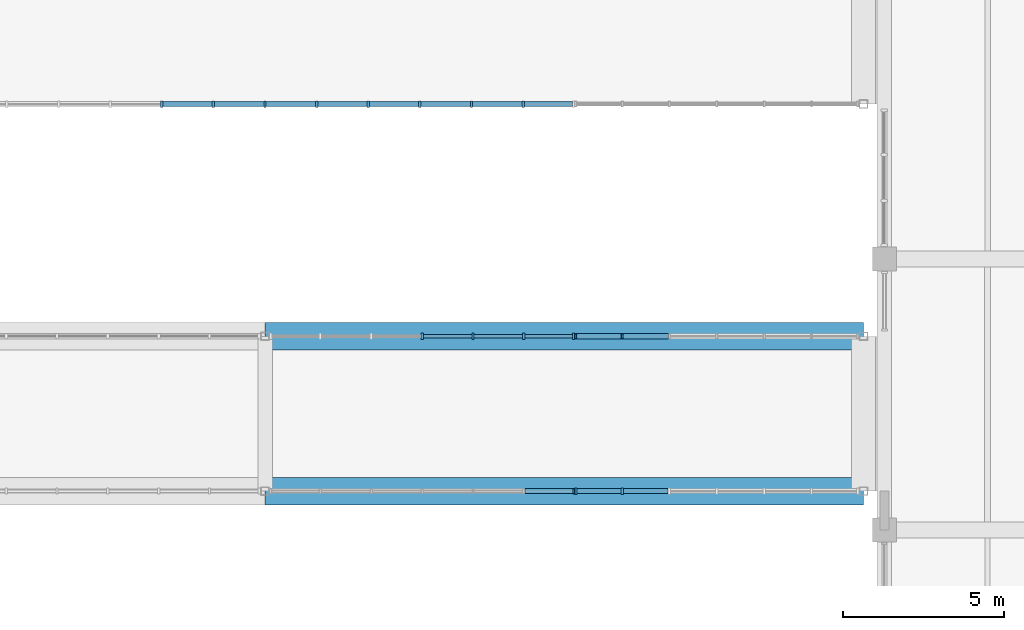
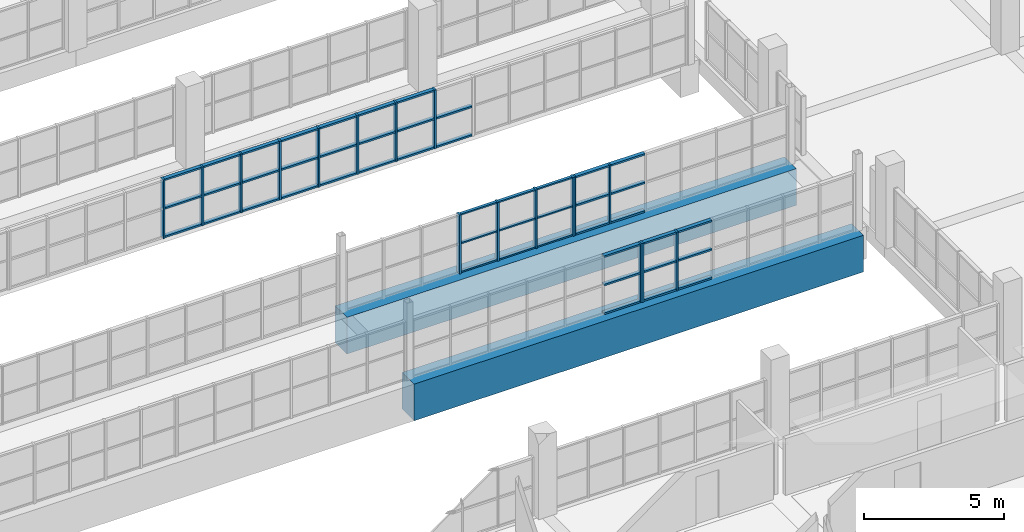
# One storey, part 63 of 147: 64 members, 2 beams, 5 elements without a shape of their own.
"""IFC4 building model written with IfcOpenShell, lengths in metres."""

from ifc_helpers import new_model, si_unit, direction, frame, origin, origin_2d, place, context, subcontext, project, spatial, rectangle, extrude, material, material_profile, profile_set, type_object, element, aggregate, save


model = new_model("IFC4")

# Units and contexts
model_context = context("Model", 3, precision=1e-05, world=origin(), true_north=direction((0.0, 1.0)))
body_context = subcontext(model_context, "Body", "Model", "MODEL_VIEW")
ifc_project = project(units=[si_unit("LENGTHUNIT", "METRE"), si_unit("AREAUNIT", "SQUARE_METRE"), si_unit("VOLUMEUNIT", "CUBIC_METRE"), si_unit("PLANEANGLEUNIT", "RADIAN"), si_unit("MASSUNIT", "GRAM", prefix="KILO")], contexts=[model_context])

# Site, building, storey
site_placement = place(None, origin())
site = spatial("IfcSite", under=ifc_project, at=site_placement, CompositionType="ELEMENT")
building_placement = place(site_placement, origin())
building = spatial("IfcBuilding", under=site, at=building_placement, Name="Oolite Switchyard Hospital", CompositionType="ELEMENT")
storey_placement = place(building_placement, frame((0.0, 0.0, 9.89990234375)))
storey = spatial("IfcBuildingStorey", under=building, at=storey_placement, Name="L02", CompositionType="ELEMENT", Elevation=9.89990234375)

# Beams
ifc_material_1 = material(Name="Concrete C40/50", Category="concrete")
ifc_material_profile_1 = material_profile(ifc_material_1, rectangle(XDim=0.85009765625, YDim=1.60009765625, at=origin_2d()), Name="RCT850X1600")
ifc_profile_set_1 = profile_set([ifc_material_profile_1], Name="Concrete C40/50")
beam_type = type_object("IfcBeamType", Name="BM-TR850X1600", PredefinedType="BEAM", material=ifc_profile_set_1)
for number, where, z_axis, x_axis, name in (
    (1, (163.199951171875, 34.800048828125, -0.7998046875), (1.0, 0.0, 0.0), (0.0, 1.0, 0.0), "L02 X-Girder 1047"),
    (2, (163.199951171875, 39.60009765625, -0.7998046875), (1.0, 0.0, 0.0), (0.0, 1.0, 0.0), "L02 X-Girder 1049"),
):
    element("IfcBeam", number, at=place(storey_placement, frame(where, z_axis=z_axis, x_axis=x_axis)), inside=storey, type_object=beam_type, Name=name, PredefinedType="BEAM", context=body_context, shape_type="SweptSolid", body=[
        extrude(rectangle(XDim=0.85009765625, YDim=1.60009765625, at=origin_2d()), origin(), (0.0, 0.0, 1.0), 18.550048828125),
    ])

# Curtain wall, member
ifc_material_2 = material(Name="Thermally broken aluminum frame with laminated impact glazing", Category="aluminium")
curtain_wall_type = type_object("IfcCurtainWallType", Name="CW-BRG-96X38", PredefinedType="USERDEFINED", material=ifc_material_2)
curtain_wall_1_placement = place(storey_placement, origin())
curtain_wall_1 = element("IfcCurtainWall", 3, at=curtain_wall_1_placement, inside=storey, type_object=curtain_wall_type, Name="L02 Unitised Curtain Wall 229", ObjectType="UNITISED", PredefinedType="USERDEFINED")
ifc_material_3 = material(Name="Aluminium 6063-T6", Category="aluminium")
ifc_material_profile_2 = material_profile(ifc_material_3, rectangle(XDim=0.159912109375, YDim=0.06005859375, at=origin_2d()), Name="CWM60X160")
ifc_profile_set_2 = profile_set([ifc_material_profile_2], Name="Aluminium 6063-T6")
member_type_1 = type_object("IfcMemberType", Name="CW-MUL-180", PredefinedType="MULLION", material=ifc_profile_set_2)
member_1_placement = place(storey_placement, frame((172.77001953125, 34.800048828125, 0.0), z_axis=(0.0, 0.0, 1.0), x_axis=(0.0, -1.0, 0.0)))
member_1 = element("IfcMember", 4, at=member_1_placement, type_object=member_type_1, Name="CW-12 mullion 1", PredefinedType="MULLION", context=body_context, shape_type="SweptSolid", body=[
    extrude(rectangle(XDim=0.159912109375, YDim=0.06005859375, at=origin_2d()), origin(), (0.0, 0.0, 1.0), 2.570068359375),
])

# Curtain wall, members
curtain_wall_2_placement = place(storey_placement, origin())
curtain_wall_2 = element("IfcCurtainWall", 5, at=curtain_wall_2_placement, inside=storey, type_object=curtain_wall_type, Name="L02 Unitised Curtain Wall 235", ObjectType="UNITISED", PredefinedType="USERDEFINED")
member_2_placement = place(storey_placement, frame((172.830078125, 39.60009765625, 0.0), z_axis=(0.0, 0.0, 1.0), x_axis=(0.0, 1.0, 0.0)))
member_2 = element("IfcMember", 6, at=member_2_placement, type_object=member_type_1, Name="CW-12 mullion 1", PredefinedType="MULLION", context=body_context, shape_type="SweptSolid", body=[
    extrude(rectangle(XDim=0.159912109375, YDim=0.06005859375, at=origin_2d()), origin(), (0.0, 0.0, 1.0), 2.570068359375),
])
member_3_placement = place(storey_placement, frame((174.26806640625, 39.60009765625, 0.0), z_axis=(0.0, 0.0, 1.0), x_axis=(0.0, 1.0, 0.0)))
member_3 = element("IfcMember", 7, at=member_3_placement, type_object=member_type_1, Name="CW-12 mullion 2", PredefinedType="MULLION", context=body_context, shape_type="SweptSolid", body=[
    extrude(rectangle(XDim=0.159912109375, YDim=0.06005859375, at=origin_2d()), origin(), (0.0, 0.0, 1.0), 2.570068359375),
])

curtain_wall_3_placement = place(storey_placement, origin())
curtain_wall_3 = element("IfcCurtainWall", 8, at=curtain_wall_3_placement, inside=storey, type_object=curtain_wall_type, Name="L02 Unitised Curtain Wall 231", ObjectType="UNITISED", PredefinedType="USERDEFINED")
ifc_material_profile_3 = material_profile(ifc_material_3, rectangle(XDim=0.199951171875, YDim=0.074951171875, at=origin_2d()), Name="CWM75X200")
ifc_profile_set_3 = profile_set([ifc_material_profile_3], Name="Aluminium 6063-T6")
member_type_2 = type_object("IfcMemberType", Name="CW-MUL-260", PredefinedType="MULLION", material=ifc_profile_set_3)
member_4_placement = place(storey_placement, frame((174.26806640625, 34.800048828125, 0.0), z_axis=(0.0, 0.0, 1.0), x_axis=(0.0, -1.0, 0.0)))
member_4 = element("IfcMember", 9, at=member_4_placement, type_object=member_type_2, Name="CW-12 mullion 6", PredefinedType="MULLION", context=body_context, shape_type="SweptSolid", body=[
    extrude(rectangle(XDim=0.199951171875, YDim=0.074951171875, at=origin_2d()), origin(), (0.0, 0.0, 1.0), 2.570068359375),
])
member_5_placement = place(storey_placement, frame((172.83740234375, 34.800048828125, 0.0), z_axis=(0.0, 0.0, 1.0), x_axis=(0.0, -1.0, 0.0)))
member_5 = element("IfcMember", 10, at=member_5_placement, type_object=member_type_2, Name="CW-12 mullion 7", PredefinedType="MULLION", context=body_context, shape_type="SweptSolid", body=[
    extrude(rectangle(XDim=0.199951171875, YDim=0.074951171875, at=origin_2d()), origin(), (0.0, 0.0, 1.0), 2.570068359375),
])

curtain_wall_4_placement = place(storey_placement, origin())
curtain_wall_4 = element("IfcCurtainWall", 11, at=curtain_wall_4_placement, inside=storey, type_object=curtain_wall_type, Name="L02 Unitised Curtain Wall 234", ObjectType="UNITISED", PredefinedType="USERDEFINED")
member_6_placement = place(storey_placement, frame((168.071044921875, 39.60009765625, 0.0), z_axis=(0.0, 0.0, 1.0), x_axis=(0.0, 1.0, 0.0)))
member_6 = element("IfcMember", 12, at=member_6_placement, type_object=member_type_2, Name="CW-12 mullion 4", PredefinedType="MULLION", context=body_context, shape_type="SweptSolid", body=[
    extrude(rectangle(XDim=0.199951171875, YDim=0.074951171875, at=origin_2d()), origin(), (0.0, 0.0, 1.0), 2.570068359375),
])
member_7_placement = place(storey_placement, frame((169.647216796875, 39.60009765625, 0.0), z_axis=(0.0, 0.0, 1.0), x_axis=(0.0, 1.0, 0.0)))
member_7 = element("IfcMember", 13, at=member_7_placement, type_object=member_type_2, Name="CW-12 mullion 5", PredefinedType="MULLION", context=body_context, shape_type="SweptSolid", body=[
    extrude(rectangle(XDim=0.199951171875, YDim=0.074951171875, at=origin_2d()), origin(), (0.0, 0.0, 1.0), 2.570068359375),
])
member_8_placement = place(storey_placement, frame((171.2236328125, 39.60009765625, 0.0), z_axis=(0.0, 0.0, 1.0), x_axis=(0.0, 1.0, 0.0)))
member_8 = element("IfcMember", 14, at=member_8_placement, type_object=member_type_2, Name="CW-12 mullion 6", PredefinedType="MULLION", context=body_context, shape_type="SweptSolid", body=[
    extrude(rectangle(XDim=0.199951171875, YDim=0.074951171875, at=origin_2d()), origin(), (0.0, 0.0, 1.0), 2.570068359375),
])
member_9_placement = place(storey_placement, frame((172.762451171875, 39.60009765625, 0.0), z_axis=(0.0, 0.0, 1.0), x_axis=(0.0, 1.0, 0.0)))
member_9 = element("IfcMember", 15, at=member_9_placement, type_object=member_type_2, Name="CW-12 mullion 7", PredefinedType="MULLION", context=body_context, shape_type="SweptSolid", body=[
    extrude(rectangle(XDim=0.199951171875, YDim=0.074951171875, at=origin_2d()), origin(), (0.0, 0.0, 1.0), 2.570068359375),
])

curtain_wall_5_placement = place(storey_placement, origin())
curtain_wall_5 = element("IfcCurtainWall", 16, at=curtain_wall_5_placement, inside=storey, type_object=curtain_wall_type, Name="L02 Unitised Curtain Wall 237", ObjectType="UNITISED", PredefinedType="USERDEFINED")
member_10_placement = place(storey_placement, frame((171.199951171875, 46.800048828125, 0.0), z_axis=(0.0, 0.0, 1.0), x_axis=(0.0, -1.0, 0.0)))
member_10 = element("IfcMember", 17, at=member_10_placement, type_object=member_type_2, Name="CW-12 mullion 2", PredefinedType="MULLION", context=body_context, shape_type="SweptSolid", body=[
    extrude(rectangle(XDim=0.199951171875, YDim=0.074951171875, at=origin_2d()), origin(), (0.0, 0.0, 1.0), 2.570068359375),
])
member_11_placement = place(storey_placement, frame((169.60009765625, 46.800048828125, 0.0), z_axis=(0.0, 0.0, 1.0), x_axis=(0.0, -1.0, 0.0)))
member_11 = element("IfcMember", 18, at=member_11_placement, type_object=member_type_2, Name="CW-12 mullion 3", PredefinedType="MULLION", context=body_context, shape_type="SweptSolid", body=[
    extrude(rectangle(XDim=0.199951171875, YDim=0.074951171875, at=origin_2d()), origin(), (0.0, 0.0, 1.0), 2.570068359375),
])
member_12_placement = place(storey_placement, frame((168.0, 46.800048828125, 0.0), z_axis=(0.0, 0.0, 1.0), x_axis=(0.0, -1.0, 0.0)))
member_12 = element("IfcMember", 19, at=member_12_placement, type_object=member_type_2, Name="CW-12 mullion 4", PredefinedType="MULLION", context=body_context, shape_type="SweptSolid", body=[
    extrude(rectangle(XDim=0.199951171875, YDim=0.074951171875, at=origin_2d()), origin(), (0.0, 0.0, 1.0), 2.570068359375),
])
member_13_placement = place(storey_placement, frame((166.39990234375, 46.800048828125, 0.0), z_axis=(0.0, 0.0, 1.0), x_axis=(0.0, -1.0, 0.0)))
member_13 = element("IfcMember", 20, at=member_13_placement, type_object=member_type_2, Name="CW-12 mullion 5", PredefinedType="MULLION", context=body_context, shape_type="SweptSolid", body=[
    extrude(rectangle(XDim=0.199951171875, YDim=0.074951171875, at=origin_2d()), origin(), (0.0, 0.0, 1.0), 2.570068359375),
])
member_14_placement = place(storey_placement, frame((164.800048828125, 46.800048828125, 0.0), z_axis=(0.0, 0.0, 1.0), x_axis=(0.0, -1.0, 0.0)))
member_14 = element("IfcMember", 21, at=member_14_placement, type_object=member_type_2, Name="CW-12 mullion 6", PredefinedType="MULLION", context=body_context, shape_type="SweptSolid", body=[
    extrude(rectangle(XDim=0.199951171875, YDim=0.074951171875, at=origin_2d()), origin(), (0.0, 0.0, 1.0), 2.570068359375),
])
member_15_placement = place(storey_placement, frame((163.199951171875, 46.800048828125, 0.0), z_axis=(0.0, 0.0, 1.0), x_axis=(0.0, -1.0, 0.0)))
member_15 = element("IfcMember", 22, at=member_15_placement, type_object=member_type_2, Name="CW-12 mullion 7", PredefinedType="MULLION", context=body_context, shape_type="SweptSolid", body=[
    extrude(rectangle(XDim=0.199951171875, YDim=0.074951171875, at=origin_2d()), origin(), (0.0, 0.0, 1.0), 2.570068359375),
])
member_16_placement = place(storey_placement, frame((161.60009765625, 46.800048828125, 0.0), z_axis=(0.0, 0.0, 1.0), x_axis=(0.0, -1.0, 0.0)))
member_16 = element("IfcMember", 23, at=member_16_placement, type_object=member_type_2, Name="CW-12 mullion 8", PredefinedType="MULLION", context=body_context, shape_type="SweptSolid", body=[
    extrude(rectangle(XDim=0.199951171875, YDim=0.074951171875, at=origin_2d()), origin(), (0.0, 0.0, 1.0), 2.570068359375),
])
member_17_placement = place(storey_placement, frame((160.0, 46.800048828125, 0.0), z_axis=(0.0, 0.0, 1.0), x_axis=(0.0, -1.0, 0.0)))
member_17 = element("IfcMember", 24, at=member_17_placement, type_object=member_type_2, Name="CW-12 mullion 9", PredefinedType="MULLION", context=body_context, shape_type="SweptSolid", body=[
    extrude(rectangle(XDim=0.199951171875, YDim=0.074951171875, at=origin_2d()), origin(), (0.0, 0.0, 1.0), 2.570068359375),
])

# Member
ifc_material_profile_4 = material_profile(ifc_material_3, rectangle(XDim=0.1201171875, YDim=0.06005859375, at=origin_2d()), Name="CWT60X120")
ifc_profile_set_4 = profile_set([ifc_material_profile_4], Name="Aluminium 6063-T6")
member_type_3 = type_object("IfcMemberType", Name="CW-TRN-150", PredefinedType="USERDEFINED", material=ifc_profile_set_4)
member_18_placement = place(storey_placement, frame((168.1083984375, 39.60009765625, 0.030029296875), z_axis=(1.0, 0.0, 0.0), x_axis=(0.0, 1.0, 0.0)))
member_18 = element("IfcMember", 25, at=member_18_placement, type_object=member_type_3, Name="CW-12 transom 4.1", ObjectType="TRANSOM", PredefinedType="USERDEFINED", context=body_context, shape_type="SweptSolid", body=[
    extrude(rectangle(XDim=0.1201171875, YDim=0.06005859375, at=origin_2d()), origin(), (0.0, 0.0, 1.0), 1.50146484375),
])

member_19_placement = place(storey_placement, frame((168.1083984375, 39.60009765625, 1.28515625), z_axis=(1.0, 0.0, 0.0), x_axis=(0.0, 1.0, 0.0)))
member_19 = element("IfcMember", 26, at=member_19_placement, type_object=member_type_3, Name="CW-12 transom 4.2", ObjectType="TRANSOM", PredefinedType="USERDEFINED", context=body_context, shape_type="SweptSolid", body=[
    extrude(rectangle(XDim=0.1201171875, YDim=0.06005859375, at=origin_2d()), origin(), (0.0, 0.0, 1.0), 1.50146484375),
])

member_20_placement = place(storey_placement, frame((168.1083984375, 39.60009765625, 2.5400390625), z_axis=(1.0, 0.0, 0.0), x_axis=(0.0, 1.0, 0.0)))
member_20 = element("IfcMember", 27, at=member_20_placement, type_object=member_type_3, Name="CW-12 transom 4.3", ObjectType="TRANSOM", PredefinedType="USERDEFINED", context=body_context, shape_type="SweptSolid", body=[
    extrude(rectangle(XDim=0.1201171875, YDim=0.06005859375, at=origin_2d()), origin(), (0.0, 0.0, 1.0), 1.50146484375),
])

member_21_placement = place(storey_placement, frame((169.684814453125, 39.60009765625, 0.030029296875), z_axis=(1.0, 0.0, 0.0), x_axis=(0.0, 1.0, 0.0)))
member_21 = element("IfcMember", 28, at=member_21_placement, type_object=member_type_3, Name="CW-12 transom 5.1", ObjectType="TRANSOM", PredefinedType="USERDEFINED", context=body_context, shape_type="SweptSolid", body=[
    extrude(rectangle(XDim=0.1201171875, YDim=0.06005859375, at=origin_2d()), origin(), (0.0, 0.0, 1.0), 1.50146484375),
])

member_22_placement = place(storey_placement, frame((169.684814453125, 39.60009765625, 1.28515625), z_axis=(1.0, 0.0, 0.0), x_axis=(0.0, 1.0, 0.0)))
member_22 = element("IfcMember", 29, at=member_22_placement, type_object=member_type_3, Name="CW-12 transom 5.2", ObjectType="TRANSOM", PredefinedType="USERDEFINED", context=body_context, shape_type="SweptSolid", body=[
    extrude(rectangle(XDim=0.1201171875, YDim=0.06005859375, at=origin_2d()), origin(), (0.0, 0.0, 1.0), 1.50146484375),
])

member_23_placement = place(storey_placement, frame((169.684814453125, 39.60009765625, 2.5400390625), z_axis=(1.0, 0.0, 0.0), x_axis=(0.0, 1.0, 0.0)))
member_23 = element("IfcMember", 30, at=member_23_placement, type_object=member_type_3, Name="CW-12 transom 5.3", ObjectType="TRANSOM", PredefinedType="USERDEFINED", context=body_context, shape_type="SweptSolid", body=[
    extrude(rectangle(XDim=0.1201171875, YDim=0.06005859375, at=origin_2d()), origin(), (0.0, 0.0, 1.0), 1.50146484375),
])

member_24_placement = place(storey_placement, frame((171.26123046875, 39.60009765625, 0.030029296875), z_axis=(1.0, 0.0, 0.0), x_axis=(0.0, 1.0, 0.0)))
member_24 = element("IfcMember", 31, at=member_24_placement, type_object=member_type_3, Name="CW-12 transom 6.1", ObjectType="TRANSOM", PredefinedType="USERDEFINED", context=body_context, shape_type="SweptSolid", body=[
    extrude(rectangle(XDim=0.1201171875, YDim=0.06005859375, at=origin_2d()), origin(), (0.0, 0.0, 1.0), 1.4638671875),
])

member_25_placement = place(storey_placement, frame((171.26123046875, 39.60009765625, 1.28515625), z_axis=(1.0, 0.0, 0.0), x_axis=(0.0, 1.0, 0.0)))
member_25 = element("IfcMember", 32, at=member_25_placement, type_object=member_type_3, Name="CW-12 transom 6.2", ObjectType="TRANSOM", PredefinedType="USERDEFINED", context=body_context, shape_type="SweptSolid", body=[
    extrude(rectangle(XDim=0.1201171875, YDim=0.06005859375, at=origin_2d()), origin(), (0.0, 0.0, 1.0), 1.4638671875),
])

member_26_placement = place(storey_placement, frame((171.26123046875, 39.60009765625, 2.5400390625), z_axis=(1.0, 0.0, 0.0), x_axis=(0.0, 1.0, 0.0)))
member_26 = element("IfcMember", 33, at=member_26_placement, type_object=member_type_3, Name="CW-12 transom 6.3", ObjectType="TRANSOM", PredefinedType="USERDEFINED", context=body_context, shape_type="SweptSolid", body=[
    extrude(rectangle(XDim=0.1201171875, YDim=0.06005859375, at=origin_2d()), origin(), (0.0, 0.0, 1.0), 1.4638671875),
])

aggregate(curtain_wall_4, [member_6, member_7, member_8, member_9, member_18, member_19, member_20, member_21, member_22, member_23, member_24, member_25, member_26])

ifc_material_profile_5 = material_profile(ifc_material_3, rectangle(XDim=0.159912109375, YDim=0.074951171875, at=origin_2d()), Name="CWT75X160")
ifc_profile_set_5 = profile_set([ifc_material_profile_5], Name="Aluminium 6063-T6")
member_type_4 = type_object("IfcMemberType", Name="CW-TRN-180", PredefinedType="USERDEFINED", material=ifc_profile_set_5)
member_27_placement = place(storey_placement, frame((172.739990234375, 34.800048828125, 0.03759765625), z_axis=(-1.0, 0.0, 0.0), x_axis=(0.0, -1.0, 0.0)))
member_27 = element("IfcMember", 34, at=member_27_placement, type_object=member_type_4, Name="CW-12 transom 1.1", ObjectType="TRANSOM", PredefinedType="USERDEFINED", context=body_context, shape_type="SweptSolid", body=[
    extrude(rectangle(XDim=0.159912109375, YDim=0.074951171875, at=origin_2d()), origin(), (0.0, 0.0, 1.0), 1.486328125),
])

member_28_placement = place(storey_placement, frame((172.739990234375, 34.800048828125, 1.28515625), z_axis=(-1.0, 0.0, 0.0), x_axis=(0.0, -1.0, 0.0)))
member_28 = element("IfcMember", 35, at=member_28_placement, type_object=member_type_4, Name="CW-12 transom 1.2", ObjectType="TRANSOM", PredefinedType="USERDEFINED", context=body_context, shape_type="SweptSolid", body=[
    extrude(rectangle(XDim=0.159912109375, YDim=0.074951171875, at=origin_2d()), origin(), (0.0, 0.0, 1.0), 1.486328125),
])

member_29_placement = place(storey_placement, frame((172.739990234375, 34.800048828125, 2.53271484375), z_axis=(-1.0, 0.0, 0.0), x_axis=(0.0, -1.0, 0.0)))
member_29 = element("IfcMember", 36, at=member_29_placement, type_object=member_type_4, Name="CW-12 transom 1.3", ObjectType="TRANSOM", PredefinedType="USERDEFINED", context=body_context, shape_type="SweptSolid", body=[
    extrude(rectangle(XDim=0.159912109375, YDim=0.074951171875, at=origin_2d()), origin(), (0.0, 0.0, 1.0), 1.486328125),
])

aggregate(curtain_wall_1, [member_1, member_27, member_28, member_29])

member_30_placement = place(storey_placement, frame((175.698486328125, 34.800048828125, 0.03759765625), z_axis=(-1.0, 0.0, 0.0), x_axis=(0.0, -1.0, 0.0)))
member_30 = element("IfcMember", 37, at=member_30_placement, type_object=member_type_4, Name="CW-12 transom 5.1", ObjectType="TRANSOM", PredefinedType="USERDEFINED", context=body_context, shape_type="SweptSolid", body=[
    extrude(rectangle(XDim=0.159912109375, YDim=0.074951171875, at=origin_2d()), origin(), (0.0, 0.0, 1.0), 1.39306640625),
])

member_31_placement = place(storey_placement, frame((175.698486328125, 34.800048828125, 1.28515625), z_axis=(-1.0, 0.0, 0.0), x_axis=(0.0, -1.0, 0.0)))
member_31 = element("IfcMember", 38, at=member_31_placement, type_object=member_type_4, Name="CW-12 transom 5.2", ObjectType="TRANSOM", PredefinedType="USERDEFINED", context=body_context, shape_type="SweptSolid", body=[
    extrude(rectangle(XDim=0.159912109375, YDim=0.074951171875, at=origin_2d()), origin(), (0.0, 0.0, 1.0), 1.39306640625),
])

member_32_placement = place(storey_placement, frame((175.698486328125, 34.800048828125, 2.53271484375), z_axis=(-1.0, 0.0, 0.0), x_axis=(0.0, -1.0, 0.0)))
member_32 = element("IfcMember", 39, at=member_32_placement, type_object=member_type_4, Name="CW-12 transom 5.3", ObjectType="TRANSOM", PredefinedType="USERDEFINED", context=body_context, shape_type="SweptSolid", body=[
    extrude(rectangle(XDim=0.159912109375, YDim=0.074951171875, at=origin_2d()), origin(), (0.0, 0.0, 1.0), 1.39306640625),
])

member_33_placement = place(storey_placement, frame((174.23046875, 34.800048828125, 0.03759765625), z_axis=(-1.0, 0.0, 0.0), x_axis=(0.0, -1.0, 0.0)))
member_33 = element("IfcMember", 40, at=member_33_placement, type_object=member_type_4, Name="CW-12 transom 6.1", ObjectType="TRANSOM", PredefinedType="USERDEFINED", context=body_context, shape_type="SweptSolid", body=[
    extrude(rectangle(XDim=0.159912109375, YDim=0.074951171875, at=origin_2d()), origin(), (0.0, 0.0, 1.0), 1.35546875),
])

member_34_placement = place(storey_placement, frame((174.23046875, 34.800048828125, 1.28515625), z_axis=(-1.0, 0.0, 0.0), x_axis=(0.0, -1.0, 0.0)))
member_34 = element("IfcMember", 41, at=member_34_placement, type_object=member_type_4, Name="CW-12 transom 6.2", ObjectType="TRANSOM", PredefinedType="USERDEFINED", context=body_context, shape_type="SweptSolid", body=[
    extrude(rectangle(XDim=0.159912109375, YDim=0.074951171875, at=origin_2d()), origin(), (0.0, 0.0, 1.0), 1.35546875),
])

member_35_placement = place(storey_placement, frame((174.23046875, 34.800048828125, 2.53271484375), z_axis=(-1.0, 0.0, 0.0), x_axis=(0.0, -1.0, 0.0)))
member_35 = element("IfcMember", 42, at=member_35_placement, type_object=member_type_4, Name="CW-12 transom 6.3", ObjectType="TRANSOM", PredefinedType="USERDEFINED", context=body_context, shape_type="SweptSolid", body=[
    extrude(rectangle(XDim=0.159912109375, YDim=0.074951171875, at=origin_2d()), origin(), (0.0, 0.0, 1.0), 1.35546875),
])

aggregate(curtain_wall_3, [member_4, member_5, member_30, member_31, member_32, member_33, member_34, member_35])

member_36_placement = place(storey_placement, frame((172.860107421875, 39.60009765625, 0.03759765625), z_axis=(1.0, 0.0, 0.0), x_axis=(0.0, 1.0, 0.0)))
member_36 = element("IfcMember", 43, at=member_36_placement, type_object=member_type_4, Name="CW-12 transom 1.1", ObjectType="TRANSOM", PredefinedType="USERDEFINED", context=body_context, shape_type="SweptSolid", body=[
    extrude(rectangle(XDim=0.159912109375, YDim=0.074951171875, at=origin_2d()), origin(), (0.0, 0.0, 1.0), 1.3779296875),
])

member_37_placement = place(storey_placement, frame((172.860107421875, 39.60009765625, 1.28515625), z_axis=(1.0, 0.0, 0.0), x_axis=(0.0, 1.0, 0.0)))
member_37 = element("IfcMember", 44, at=member_37_placement, type_object=member_type_4, Name="CW-12 transom 1.2", ObjectType="TRANSOM", PredefinedType="USERDEFINED", context=body_context, shape_type="SweptSolid", body=[
    extrude(rectangle(XDim=0.159912109375, YDim=0.074951171875, at=origin_2d()), origin(), (0.0, 0.0, 1.0), 1.3779296875),
])

member_38_placement = place(storey_placement, frame((172.860107421875, 39.60009765625, 2.53271484375), z_axis=(1.0, 0.0, 0.0), x_axis=(0.0, 1.0, 0.0)))
member_38 = element("IfcMember", 45, at=member_38_placement, type_object=member_type_4, Name="CW-12 transom 1.3", ObjectType="TRANSOM", PredefinedType="USERDEFINED", context=body_context, shape_type="SweptSolid", body=[
    extrude(rectangle(XDim=0.159912109375, YDim=0.074951171875, at=origin_2d()), origin(), (0.0, 0.0, 1.0), 1.3779296875),
])

member_39_placement = place(storey_placement, frame((174.298095703125, 39.60009765625, 0.03759765625), z_axis=(1.0, 0.0, 0.0), x_axis=(0.0, 1.0, 0.0)))
member_39 = element("IfcMember", 46, at=member_39_placement, type_object=member_type_4, Name="CW-12 transom 2.1", ObjectType="TRANSOM", PredefinedType="USERDEFINED", context=body_context, shape_type="SweptSolid", body=[
    extrude(rectangle(XDim=0.159912109375, YDim=0.074951171875, at=origin_2d()), origin(), (0.0, 0.0, 1.0), 1.407958984375),
])

member_40_placement = place(storey_placement, frame((174.298095703125, 39.60009765625, 1.28515625), z_axis=(1.0, 0.0, 0.0), x_axis=(0.0, 1.0, 0.0)))
member_40 = element("IfcMember", 47, at=member_40_placement, type_object=member_type_4, Name="CW-12 transom 2.2", ObjectType="TRANSOM", PredefinedType="USERDEFINED", context=body_context, shape_type="SweptSolid", body=[
    extrude(rectangle(XDim=0.159912109375, YDim=0.074951171875, at=origin_2d()), origin(), (0.0, 0.0, 1.0), 1.407958984375),
])

member_41_placement = place(storey_placement, frame((174.298095703125, 39.60009765625, 2.53271484375), z_axis=(1.0, 0.0, 0.0), x_axis=(0.0, 1.0, 0.0)))
member_41 = element("IfcMember", 48, at=member_41_placement, type_object=member_type_4, Name="CW-12 transom 2.3", ObjectType="TRANSOM", PredefinedType="USERDEFINED", context=body_context, shape_type="SweptSolid", body=[
    extrude(rectangle(XDim=0.159912109375, YDim=0.074951171875, at=origin_2d()), origin(), (0.0, 0.0, 1.0), 1.407958984375),
])

aggregate(curtain_wall_2, [member_2, member_3, member_36, member_37, member_38, member_39, member_40, member_41])

member_42_placement = place(storey_placement, frame((172.72509765625, 46.800048828125, 0.03759765625), z_axis=(-1.0, 0.0, 0.0), x_axis=(0.0, -1.0, 0.0)))
member_42 = element("IfcMember", 49, at=member_42_placement, type_object=member_type_4, Name="CW-12 transom 1.1", ObjectType="TRANSOM", PredefinedType="USERDEFINED", context=body_context, shape_type="SweptSolid", body=[
    extrude(rectangle(XDim=0.159912109375, YDim=0.074951171875, at=origin_2d()), origin(), (0.0, 0.0, 1.0), 1.487548828125),
])

member_43_placement = place(storey_placement, frame((172.72509765625, 46.800048828125, 1.28515625), z_axis=(-1.0, 0.0, 0.0), x_axis=(0.0, -1.0, 0.0)))
member_43 = element("IfcMember", 50, at=member_43_placement, type_object=member_type_4, Name="CW-12 transom 1.2", ObjectType="TRANSOM", PredefinedType="USERDEFINED", context=body_context, shape_type="SweptSolid", body=[
    extrude(rectangle(XDim=0.159912109375, YDim=0.074951171875, at=origin_2d()), origin(), (0.0, 0.0, 1.0), 1.487548828125),
])

member_44_placement = place(storey_placement, frame((171.16259765625, 46.800048828125, 0.03759765625), z_axis=(-1.0, 0.0, 0.0), x_axis=(0.0, -1.0, 0.0)))
member_44 = element("IfcMember", 51, at=member_44_placement, type_object=member_type_4, Name="CW-12 transom 2.1", ObjectType="TRANSOM", PredefinedType="USERDEFINED", context=body_context, shape_type="SweptSolid", body=[
    extrude(rectangle(XDim=0.159912109375, YDim=0.074951171875, at=origin_2d()), origin(), (0.0, 0.0, 1.0), 1.525146484375),
])

member_45_placement = place(storey_placement, frame((171.16259765625, 46.800048828125, 1.28515625), z_axis=(-1.0, 0.0, 0.0), x_axis=(0.0, -1.0, 0.0)))
member_45 = element("IfcMember", 52, at=member_45_placement, type_object=member_type_4, Name="CW-12 transom 2.2", ObjectType="TRANSOM", PredefinedType="USERDEFINED", context=body_context, shape_type="SweptSolid", body=[
    extrude(rectangle(XDim=0.159912109375, YDim=0.074951171875, at=origin_2d()), origin(), (0.0, 0.0, 1.0), 1.525146484375),
])

member_46_placement = place(storey_placement, frame((171.16259765625, 46.800048828125, 2.53271484375), z_axis=(-1.0, 0.0, 0.0), x_axis=(0.0, -1.0, 0.0)))
member_46 = element("IfcMember", 53, at=member_46_placement, type_object=member_type_4, Name="CW-12 transom 2.3", ObjectType="TRANSOM", PredefinedType="USERDEFINED", context=body_context, shape_type="SweptSolid", body=[
    extrude(rectangle(XDim=0.159912109375, YDim=0.074951171875, at=origin_2d()), origin(), (0.0, 0.0, 1.0), 1.525146484375),
])

member_47_placement = place(storey_placement, frame((169.5625, 46.800048828125, 0.03759765625), z_axis=(-1.0, 0.0, 0.0), x_axis=(0.0, -1.0, 0.0)))
member_47 = element("IfcMember", 54, at=member_47_placement, type_object=member_type_4, Name="CW-12 transom 3.1", ObjectType="TRANSOM", PredefinedType="USERDEFINED", context=body_context, shape_type="SweptSolid", body=[
    extrude(rectangle(XDim=0.159912109375, YDim=0.074951171875, at=origin_2d()), origin(), (0.0, 0.0, 1.0), 1.52490234375),
])

member_48_placement = place(storey_placement, frame((169.5625, 46.800048828125, 1.28515625), z_axis=(-1.0, 0.0, 0.0), x_axis=(0.0, -1.0, 0.0)))
member_48 = element("IfcMember", 55, at=member_48_placement, type_object=member_type_4, Name="CW-12 transom 3.2", ObjectType="TRANSOM", PredefinedType="USERDEFINED", context=body_context, shape_type="SweptSolid", body=[
    extrude(rectangle(XDim=0.159912109375, YDim=0.074951171875, at=origin_2d()), origin(), (0.0, 0.0, 1.0), 1.52490234375),
])

member_49_placement = place(storey_placement, frame((169.5625, 46.800048828125, 2.53271484375), z_axis=(-1.0, 0.0, 0.0), x_axis=(0.0, -1.0, 0.0)))
member_49 = element("IfcMember", 56, at=member_49_placement, type_object=member_type_4, Name="CW-12 transom 3.3", ObjectType="TRANSOM", PredefinedType="USERDEFINED", context=body_context, shape_type="SweptSolid", body=[
    extrude(rectangle(XDim=0.159912109375, YDim=0.074951171875, at=origin_2d()), origin(), (0.0, 0.0, 1.0), 1.52490234375),
])

member_50_placement = place(storey_placement, frame((167.96240234375, 46.800048828125, 0.03759765625), z_axis=(-1.0, 0.0, 0.0), x_axis=(0.0, -1.0, 0.0)))
member_50 = element("IfcMember", 57, at=member_50_placement, type_object=member_type_4, Name="CW-12 transom 4.1", ObjectType="TRANSOM", PredefinedType="USERDEFINED", context=body_context, shape_type="SweptSolid", body=[
    extrude(rectangle(XDim=0.159912109375, YDim=0.074951171875, at=origin_2d()), origin(), (0.0, 0.0, 1.0), 1.52490234375),
])

member_51_placement = place(storey_placement, frame((167.96240234375, 46.800048828125, 1.28515625), z_axis=(-1.0, 0.0, 0.0), x_axis=(0.0, -1.0, 0.0)))
member_51 = element("IfcMember", 58, at=member_51_placement, type_object=member_type_4, Name="CW-12 transom 4.2", ObjectType="TRANSOM", PredefinedType="USERDEFINED", context=body_context, shape_type="SweptSolid", body=[
    extrude(rectangle(XDim=0.159912109375, YDim=0.074951171875, at=origin_2d()), origin(), (0.0, 0.0, 1.0), 1.52490234375),
])

member_52_placement = place(storey_placement, frame((167.96240234375, 46.800048828125, 2.53271484375), z_axis=(-1.0, 0.0, 0.0), x_axis=(0.0, -1.0, 0.0)))
member_52 = element("IfcMember", 59, at=member_52_placement, type_object=member_type_4, Name="CW-12 transom 4.3", ObjectType="TRANSOM", PredefinedType="USERDEFINED", context=body_context, shape_type="SweptSolid", body=[
    extrude(rectangle(XDim=0.159912109375, YDim=0.074951171875, at=origin_2d()), origin(), (0.0, 0.0, 1.0), 1.52490234375),
])

member_53_placement = place(storey_placement, frame((166.362548828125, 46.800048828125, 0.03759765625), z_axis=(-1.0, 0.0, 0.0), x_axis=(0.0, -1.0, 0.0)))
member_53 = element("IfcMember", 60, at=member_53_placement, type_object=member_type_4, Name="CW-12 transom 5.1", ObjectType="TRANSOM", PredefinedType="USERDEFINED", context=body_context, shape_type="SweptSolid", body=[
    extrude(rectangle(XDim=0.159912109375, YDim=0.074951171875, at=origin_2d()), origin(), (0.0, 0.0, 1.0), 1.525146484375),
])

member_54_placement = place(storey_placement, frame((166.362548828125, 46.800048828125, 1.28515625), z_axis=(-1.0, 0.0, 0.0), x_axis=(0.0, -1.0, 0.0)))
member_54 = element("IfcMember", 61, at=member_54_placement, type_object=member_type_4, Name="CW-12 transom 5.2", ObjectType="TRANSOM", PredefinedType="USERDEFINED", context=body_context, shape_type="SweptSolid", body=[
    extrude(rectangle(XDim=0.159912109375, YDim=0.074951171875, at=origin_2d()), origin(), (0.0, 0.0, 1.0), 1.525146484375),
])

member_55_placement = place(storey_placement, frame((166.362548828125, 46.800048828125, 2.53271484375), z_axis=(-1.0, 0.0, 0.0), x_axis=(0.0, -1.0, 0.0)))
member_55 = element("IfcMember", 62, at=member_55_placement, type_object=member_type_4, Name="CW-12 transom 5.3", ObjectType="TRANSOM", PredefinedType="USERDEFINED", context=body_context, shape_type="SweptSolid", body=[
    extrude(rectangle(XDim=0.159912109375, YDim=0.074951171875, at=origin_2d()), origin(), (0.0, 0.0, 1.0), 1.525146484375),
])

member_56_placement = place(storey_placement, frame((164.762451171875, 46.800048828125, 0.03759765625), z_axis=(-1.0, 0.0, 0.0), x_axis=(0.0, -1.0, 0.0)))
member_56 = element("IfcMember", 63, at=member_56_placement, type_object=member_type_4, Name="CW-12 transom 6.1", ObjectType="TRANSOM", PredefinedType="USERDEFINED", context=body_context, shape_type="SweptSolid", body=[
    extrude(rectangle(XDim=0.159912109375, YDim=0.074951171875, at=origin_2d()), origin(), (0.0, 0.0, 1.0), 1.52490234375),
])

member_57_placement = place(storey_placement, frame((164.762451171875, 46.800048828125, 1.28515625), z_axis=(-1.0, 0.0, 0.0), x_axis=(0.0, -1.0, 0.0)))
member_57 = element("IfcMember", 64, at=member_57_placement, type_object=member_type_4, Name="CW-12 transom 6.2", ObjectType="TRANSOM", PredefinedType="USERDEFINED", context=body_context, shape_type="SweptSolid", body=[
    extrude(rectangle(XDim=0.159912109375, YDim=0.074951171875, at=origin_2d()), origin(), (0.0, 0.0, 1.0), 1.52490234375),
])

member_58_placement = place(storey_placement, frame((164.762451171875, 46.800048828125, 2.53271484375), z_axis=(-1.0, 0.0, 0.0), x_axis=(0.0, -1.0, 0.0)))
member_58 = element("IfcMember", 65, at=member_58_placement, type_object=member_type_4, Name="CW-12 transom 6.3", ObjectType="TRANSOM", PredefinedType="USERDEFINED", context=body_context, shape_type="SweptSolid", body=[
    extrude(rectangle(XDim=0.159912109375, YDim=0.074951171875, at=origin_2d()), origin(), (0.0, 0.0, 1.0), 1.52490234375),
])

member_59_placement = place(storey_placement, frame((163.16259765625, 46.800048828125, 0.03759765625), z_axis=(-1.0, 0.0, 0.0), x_axis=(0.0, -1.0, 0.0)))
member_59 = element("IfcMember", 66, at=member_59_placement, type_object=member_type_4, Name="CW-12 transom 7.1", ObjectType="TRANSOM", PredefinedType="USERDEFINED", context=body_context, shape_type="SweptSolid", body=[
    extrude(rectangle(XDim=0.159912109375, YDim=0.074951171875, at=origin_2d()), origin(), (0.0, 0.0, 1.0), 1.525146484375),
])

member_60_placement = place(storey_placement, frame((163.16259765625, 46.800048828125, 1.28515625), z_axis=(-1.0, 0.0, 0.0), x_axis=(0.0, -1.0, 0.0)))
member_60 = element("IfcMember", 67, at=member_60_placement, type_object=member_type_4, Name="CW-12 transom 7.2", ObjectType="TRANSOM", PredefinedType="USERDEFINED", context=body_context, shape_type="SweptSolid", body=[
    extrude(rectangle(XDim=0.159912109375, YDim=0.074951171875, at=origin_2d()), origin(), (0.0, 0.0, 1.0), 1.525146484375),
])

member_61_placement = place(storey_placement, frame((163.16259765625, 46.800048828125, 2.53271484375), z_axis=(-1.0, 0.0, 0.0), x_axis=(0.0, -1.0, 0.0)))
member_61 = element("IfcMember", 68, at=member_61_placement, type_object=member_type_4, Name="CW-12 transom 7.3", ObjectType="TRANSOM", PredefinedType="USERDEFINED", context=body_context, shape_type="SweptSolid", body=[
    extrude(rectangle(XDim=0.159912109375, YDim=0.074951171875, at=origin_2d()), origin(), (0.0, 0.0, 1.0), 1.525146484375),
])

member_62_placement = place(storey_placement, frame((161.5625, 46.800048828125, 0.03759765625), z_axis=(-1.0, 0.0, 0.0), x_axis=(0.0, -1.0, 0.0)))
member_62 = element("IfcMember", 69, at=member_62_placement, type_object=member_type_4, Name="CW-12 transom 8.1", ObjectType="TRANSOM", PredefinedType="USERDEFINED", context=body_context, shape_type="SweptSolid", body=[
    extrude(rectangle(XDim=0.159912109375, YDim=0.074951171875, at=origin_2d()), origin(), (0.0, 0.0, 1.0), 1.52490234375),
])

member_63_placement = place(storey_placement, frame((161.5625, 46.800048828125, 1.28515625), z_axis=(-1.0, 0.0, 0.0), x_axis=(0.0, -1.0, 0.0)))
member_63 = element("IfcMember", 70, at=member_63_placement, type_object=member_type_4, Name="CW-12 transom 8.2", ObjectType="TRANSOM", PredefinedType="USERDEFINED", context=body_context, shape_type="SweptSolid", body=[
    extrude(rectangle(XDim=0.159912109375, YDim=0.074951171875, at=origin_2d()), origin(), (0.0, 0.0, 1.0), 1.52490234375),
])

member_64_placement = place(storey_placement, frame((161.5625, 46.800048828125, 2.53271484375), z_axis=(-1.0, 0.0, 0.0), x_axis=(0.0, -1.0, 0.0)))
member_64 = element("IfcMember", 71, at=member_64_placement, type_object=member_type_4, Name="CW-12 transom 8.3", ObjectType="TRANSOM", PredefinedType="USERDEFINED", context=body_context, shape_type="SweptSolid", body=[
    extrude(rectangle(XDim=0.159912109375, YDim=0.074951171875, at=origin_2d()), origin(), (0.0, 0.0, 1.0), 1.52490234375),
])

aggregate(curtain_wall_5, [member_10, member_11, member_12, member_13, member_14, member_15, member_16, member_17, member_42, member_43, member_44, member_45, member_46, member_47, member_48, member_49, member_50, member_51, member_52, member_53, member_54, member_55, member_56, member_57, member_58, member_59, member_60, member_61, member_62, member_63, member_64])

save(model, "model.ifc")
